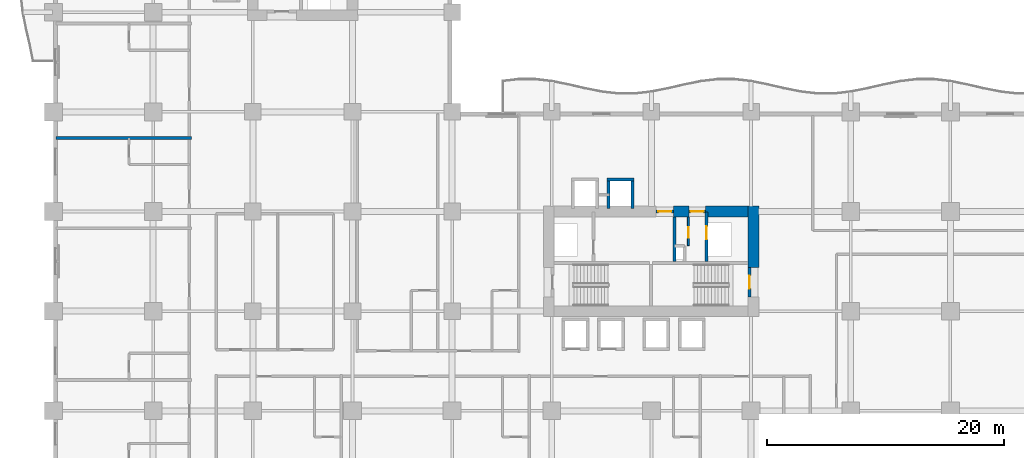
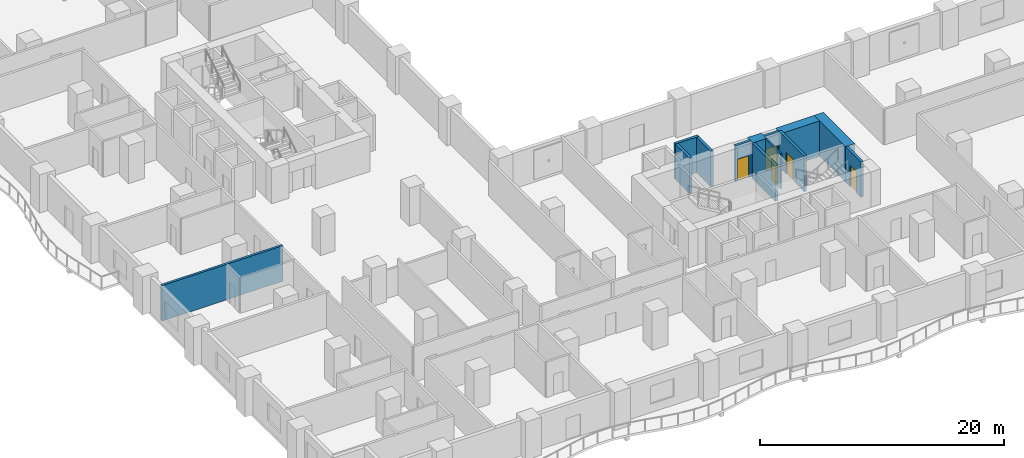
# One storey, part 7 of 20: 13 walls, 5 doors, 5 openings.
"""IFC4 building model written with IfcOpenShell, lengths in metres."""

import ifcopenshell
import ifcopenshell.guid

model = None  # the IFC model being written
_history = None  # IfcOwnerHistory: only IFC2X3 demands one
_inside = {}  # id of a spatial element -> (the spatial element, [elements in it])
_under = {}  # id of a project, library or spatial element -> (it, [spatial elements below it])
_declared = {}  # id of a project -> (the project, [libraries it declares])
_typed = {}  # id of a type object -> (the type object, [elements of that type])
_made_of = {}  # id of a material, layer set ... -> (it, [elements and type objects made of it])


def new_model(schema):
    """Start an empty IFC model of exactly this schema.

    Asked for "IFC4X3", IfcOpenShell would pick the latest addendum, in which some entities
    have other attributes; the version numbers below select the first issue.
    IFC2X3 requires an IfcOwnerHistory on every rooted entity: one is made here for all.
    """
    global model, _history
    if schema == "IFC4X3":
        model = ifcopenshell.file(schema_version=(4, 3, 0, 0))
    else:
        model = ifcopenshell.file(schema=schema)
    _inside.clear()
    _under.clear()
    _declared.clear()
    _typed.clear()
    _made_of.clear()
    _history = None
    if model.schema == "IFC2X3":
        org = make("IfcOrganization", Name="unknown")
        user = make(
            "IfcPersonAndOrganization",
            ThePerson=make("IfcPerson", FamilyName="unknown"),
            TheOrganization=org,
        )
        app = make(
            "IfcApplication",
            ApplicationDeveloper=org,
            Version="unknown",
            ApplicationFullName="unknown",
            ApplicationIdentifier="unknown",
        )
        _history = make(
            "IfcOwnerHistory",
            OwningUser=user,
            OwningApplication=app,
            ChangeAction="ADDED",
            CreationDate=0,
        )
    return model


def make(cls, **values):
    """One entity of the class cls with the attributes given. An attribute that is None is left unset."""
    return model.create_entity(
        cls, **{name: value for name, value in values.items() if value is not None}
    )


def rooted(cls, **values):
    """An entity with a GlobalId (a new one), such as an element, a storey or a relation."""
    return make(cls, GlobalId=ifcopenshell.guid.new(), OwnerHistory=_history, **values)


def si_unit(unit_type, name, prefix=None):
    """IfcSIUnit, for example si_unit("LENGTHUNIT", "METRE", prefix="MILLI")."""
    return make("IfcSIUnit", UnitType=unit_type, Prefix=prefix, Name=name)


def assignment(units):
    """IfcUnitAssignment: the units of a project."""
    return None if units is None else make("IfcUnitAssignment", Units=units)


def point(xyz):
    """IfcCartesianPoint."""
    return None if xyz is None else make("IfcCartesianPoint", Coordinates=xyz)


def direction(xyz):
    """IfcDirection."""
    return None if xyz is None else make("IfcDirection", DirectionRatios=xyz)


def frame(location, z_axis=None, x_axis=None):
    """IfcAxis2Placement3D, a coordinate frame: its origin and axes. An axis left out is left unset."""
    return make(
        "IfcAxis2Placement3D",
        Location=point(location),
        Axis=direction(z_axis),
        RefDirection=direction(x_axis),
    )


def frame_2d(location, x_axis=None):
    """IfcAxis2Placement2D, a coordinate frame in the plane: its origin and x axis."""
    return make(
        "IfcAxis2Placement2D", Location=point(location), RefDirection=direction(x_axis)
    )


def origin():
    """The frame at (0, 0, 0) with its axes left unset."""
    return frame((0.0, 0.0, 0.0))


def place(relative_to, where):
    """IfcLocalPlacement: puts the frame where relative to a parent placement (None: the world)."""
    return make(
        "IfcLocalPlacement", PlacementRelTo=relative_to, RelativePlacement=where
    )


def context(
    kind, dimensions, precision=None, world=None, true_north=None, identifier=None
):
    """IfcGeometricRepresentationContext, for example the 3D "Model" context."""
    return make(
        "IfcGeometricRepresentationContext",
        ContextIdentifier=identifier,
        ContextType=kind,
        CoordinateSpaceDimension=dimensions,
        Precision=precision,
        WorldCoordinateSystem=world,
        TrueNorth=true_north,
    )


def subcontext(parent, identifier, kind, view, scale=None):
    """IfcGeometricRepresentationSubContext, for example "Body" below "Model"."""
    return make(
        "IfcGeometricRepresentationSubContext",
        ContextIdentifier=identifier,
        ContextType=kind,
        ParentContext=parent,
        TargetScale=scale,
        TargetView=view,
    )


def project(units=None, contexts=None):
    """IfcProject with its units and contexts."""
    return rooted(
        "IfcProject",
        Name="project",
        RepresentationContexts=contexts,
        UnitsInContext=assignment(units),
    )


def spatial(cls, under=None, at=None, **own):
    """A site, building, storey or space (cls), placed at a placement, below another one or the project."""
    s = rooted(cls, ObjectPlacement=at, **own)
    if under is not None:
        _under.setdefault(under.id(), (under, []))[1].append(s)
    return s


def profile(cls, at=None, kind="AREA", **sizes):
    """A parametric profile (cls). Its sizes go by their IFC names, for example OverallWidth=200.0."""
    return make(cls, ProfileType=kind, Position=at, **sizes)


def rectangle(**sizes):
    """IfcRectangleProfileDef."""
    return profile("IfcRectangleProfileDef", **sizes)


def extrude(swept, where, along, depth):
    """IfcExtrudedAreaSolid: the profile swept, set in the frame where, extruded along a direction by depth."""
    return make(
        "IfcExtrudedAreaSolid",
        SweptArea=swept,
        Position=where,
        ExtrudedDirection=direction(along),
        Depth=depth,
    )


def shape(context_of_items, identifier, shape_type, items):
    """IfcShapeRepresentation: the items that make up one representation, for example the "Body"."""
    return make(
        "IfcShapeRepresentation",
        ContextOfItems=context_of_items,
        RepresentationIdentifier=identifier,
        RepresentationType=shape_type,
        Items=items,
    )


def material(Name=None, Category=None):
    """IfcMaterial."""
    return make("IfcMaterial", Name=Name, Category=Category)


def layer(
    of_material, thickness, ventilated=None, Name=None, Category=None, Priority=None
):
    """IfcMaterialLayer: one layer of a wall or slab, of a material (None: an air gap)."""
    return make(
        "IfcMaterialLayer",
        Material=of_material,
        LayerThickness=thickness,
        IsVentilated=ventilated,
        Name=Name,
        Category=Category,
        Priority=Priority,
    )


def layer_set(layers, Name=None):
    """IfcMaterialLayerSet."""
    return make("IfcMaterialLayerSet", MaterialLayers=layers, LayerSetName=Name)


def made_of(thing, what):
    """Note that an element or type object is made of a material, layer set ...; save() writes the relation."""
    if what is not None:
        _made_of.setdefault(what.id(), (what, []))[1].append(thing)
    return thing


def type_object(cls, material=None, **own):
    """A type object (cls), such as IfcWallType, which elements share."""
    return made_of(rooted(cls, **own), material)


def element(
    cls,
    number,
    at=None,
    inside=None,
    cuts=None,
    type_object=None,
    material=None,
    context=None,
    identifier="Body",
    shape_type=None,
    held_by="IfcProductDefinitionShape",
    body=None,
    shapes=None,
    **own,
):
    """One element of the class cls, such as IfcWall. Its Tag is "e" and its number.

    at: its placement. inside: the storey or other place that contains it. cuts: it is an
    opening in that element (IfcRelVoidsElement). A single representation is given by context,
    identifier, shape_type and body (its items); several are given by shapes. held_by: the class
    of the entity that holds the representations. save() writes the other relations.
    """
    e = rooted(cls, Tag="e%d" % number, ObjectPlacement=at, **own)
    if body is not None:
        shapes = [shape(context, identifier, shape_type, body)]
    if shapes is not None:
        e.Representation = make(held_by, Representations=shapes)
    if inside is not None:
        _inside.setdefault(inside.id(), (inside, []))[1].append(e)
    if cuts is not None:
        rooted(
            "IfcRelVoidsElement", RelatingBuildingElement=cuts, RelatedOpeningElement=e
        )
    if type_object is not None:
        _typed.setdefault(type_object.id(), (type_object, []))[1].append(e)
    return made_of(e, material)


def fill(opening, filler):
    """IfcRelFillsElement: the door or window that sits in an opening."""
    return rooted(
        "IfcRelFillsElement",
        RelatingOpeningElement=opening,
        RelatedBuildingElement=filler,
    )


def aggregate(whole, parts):
    """IfcRelAggregates: a whole, such as a stair, and the parts it consists of."""
    return rooted("IfcRelAggregates", RelatingObject=whole, RelatedObjects=parts)


def save(model, path):
    """Write the relations noted so far, then the file.

    IfcRelAggregates (storeys below a building ...), IfcRelContainedInSpatialStructure (elements
    in a storey), IfcRelDefinesByType, IfcRelAssociatesMaterial and IfcRelDeclares: one each for
    every whole, place, type object, material and project.
    """
    for whole, parts in _under.values():
        aggregate(whole, parts)
    for where, things in _inside.values():
        rooted(
            "IfcRelContainedInSpatialStructure",
            RelatedElements=things,
            RelatingStructure=where,
        )
    for kind, things in _typed.values():
        rooted("IfcRelDefinesByType", RelatedObjects=things, RelatingType=kind)
    for what, things in _made_of.values():
        rooted("IfcRelAssociatesMaterial", RelatedObjects=things, RelatingMaterial=what)
    for by, libraries in _declared.values():
        rooted("IfcRelDeclares", RelatingContext=by, RelatedDefinitions=libraries)
    model.write(path)


model = new_model("IFC4")

# Units and contexts
model_context = context("Model", 3, precision=1e-05, world=origin(), true_north=direction((0.0, 1.0)))
body_context = subcontext(model_context, "Body", "Model", "MODEL_VIEW")
ifc_project = project(units=[si_unit("LENGTHUNIT", "METRE"), si_unit("AREAUNIT", "SQUARE_METRE"), si_unit("VOLUMEUNIT", "CUBIC_METRE"), si_unit("PLANEANGLEUNIT", "RADIAN"), si_unit("MASSUNIT", "GRAM", prefix="KILO")], contexts=[model_context])

# Site, building, storey
site_placement = place(None, origin())
site = spatial("IfcSite", under=ifc_project, at=site_placement, CompositionType="ELEMENT")
building_placement = place(site_placement, origin())
building = spatial("IfcBuilding", under=site, at=building_placement, Name="Koriwani Terraces Tower", CompositionType="ELEMENT")
storey_placement = place(building_placement, frame((0.0, 0.0, 66.199951171875)))
storey = spatial("IfcBuildingStorey", under=building, at=storey_placement, Name="L15", CompositionType="ELEMENT", Elevation=66.199951171875)

# Walls
ifc_material_1 = material(Name="Concrete C60/75", Category="concrete")
ifc_layer_1 = layer(ifc_material_1, 0.89990234375, Name="Concrete C60/75")
ifc_layer_set_1 = layer_set([ifc_layer_1], Name="Concrete C60/75")
wall_type_1 = type_object("IfcWallType", Name="WALL_CORE_RC_900", PredefinedType="SHEAR", material=ifc_layer_set_1)
wall_1_placement = place(storey_placement, frame((59.0, 20.5, 0.0), z_axis=(0.0, 0.0, 1.0), x_axis=(0.0, 1.0, 0.0)))
element("IfcWall", 1, at=wall_1_placement, inside=storey, type_object=wall_type_1, Name="L15 East Split Core Shear Wall E2", PredefinedType="SHEAR", context=body_context, shape_type="SweptSolid", body=[
    extrude(rectangle(XDim=5.14990234375, YDim=0.89990234375, at=frame_2d((2.574951171875, 0.0))), origin(), (0.0, 0.0, 1.0), 3.550048828125),
])
wall_2_placement = place(storey_placement, frame((52.280029296875, 25.199951171875, 0.0), z_axis=(0.0, 0.0, 1.0), x_axis=(1.0, 0.0, 0.0)))
element("IfcWall", 2, at=wall_2_placement, inside=storey, type_object=wall_type_1, Name="L15 East Split Core Shear Wall N2", PredefinedType="SHEAR", context=body_context, shape_type="SweptSolid", body=[
    extrude(rectangle(XDim=1.27001953125, YDim=0.89990234375, at=frame_2d((0.635009765625, 0.0))), origin(), (0.0, 0.0, 1.0), 3.550048828125),
])
wall_3_placement = place(storey_placement, frame((54.949951171875, 25.199951171875, 0.0), z_axis=(0.0, 0.0, 1.0), x_axis=(1.0, 0.0, 0.0)))
element("IfcWall", 3, at=wall_3_placement, inside=storey, type_object=wall_type_1, Name="L15 East Split Core Shear Wall N3", PredefinedType="SHEAR", context=body_context, shape_type="SweptSolid", body=[
    extrude(rectangle(XDim=3.60009765625, YDim=0.89990234375, at=frame_2d((1.800048828125, 0.0))), origin(), (0.0, 0.0, 1.0), 3.550048828125),
])
ifc_material_2 = material(Name="Autoclaved Cellular Concrete Blockwork", Category="masonry")
ifc_layer_2 = layer(ifc_material_2, 0.219970703125, Name="Autoclaved Cellular Concrete Blockwork")
ifc_layer_set_2 = layer_set([ifc_layer_2], Name="Autoclaved Cellular Concrete Blockwork")
wall_type_2 = type_object("IfcWallType", Name="WALL_DEMISING_220", PredefinedType="PARTITIONING", material=ifc_layer_set_2)
wall_4_placement = place(storey_placement, frame((0.199951171875, 31.39990234375, 0.0), z_axis=(0.0, 0.0, 1.0), x_axis=(1.0, 0.0, 0.0)))
element("IfcWall", 4, at=wall_4_placement, inside=storey, type_object=wall_type_2, Name="L15 Interior Wall WDEM-L15-NW-3", PredefinedType="PARTITIONING", context=body_context, shape_type="SweptSolid", body=[
    extrude(rectangle(XDim=11.429931640625, YDim=0.219970703125, at=frame_2d((5.71484375, 0.0))), origin(), (0.0, 0.0, 1.0), 3.550048828125),
])

# Wall, opening, door
ifc_material_3 = material(Name="Concrete C40/50", Category="concrete")
ifc_layer_3 = layer(ifc_material_3, 0.25, Name="Concrete C40/50")
ifc_layer_set_3 = layer_set([ifc_layer_3], Name="Concrete C40/50")
wall_type_3 = type_object("IfcWallType", Name="WALL_SHAFT_RATED_250", PredefinedType="SOLIDWALL", material=ifc_layer_set_3)
wall_5_placement = place(storey_placement, frame((58.675048828125, 18.0, 0.0), z_axis=(0.0, 0.0, 1.0), x_axis=(0.0, 1.0, 0.0)))
wall_5 = element("IfcWall", 5, at=wall_5_placement, inside=storey, type_object=wall_type_3, Name="L15 Interior Wall WIN-CE-L15-STE", PredefinedType="SOLIDWALL", context=body_context, shape_type="SweptSolid", body=[
    extrude(rectangle(XDim=2.5, YDim=0.25, at=frame_2d((1.25, 0.0))), origin(), (0.0, 0.0, 1.0), 3.550048828125),
])
opening_1_placement = place(wall_5_placement, frame((0.699951171875, 0.0, 0.0)))
opening_1 = element("IfcOpeningElement", 6, at=opening_1_placement, cuts=wall_5, Name="Opening D-03", PredefinedType="OPENING", context=body_context, shape_type="SweptSolid", body=[
    extrude(rectangle(XDim=1.10009765625, YDim=2.14990234375, at=frame_2d((0.550048828125, 1.074951171875))), frame((0.0, 0.135009765625, 0.0), z_axis=(0.0, -1.0, 0.0), x_axis=(1.0, 0.0, 0.0)), (0.0, 0.0, 1.0), 0.27001953125),
])
ifc_material_4 = material(Name="Steel ASTM A572 Grade 50", Category="steel")
door_type_1 = type_object("IfcDoorType", Name="DOOR_STAIR_FIRE_1100X2150", OperationType="NOTDEFINED", PredefinedType="DOOR", material=ifc_material_4)
door_1_placement = place(opening_1_placement, origin())
door_1 = element("IfcDoor", 7, at=door_1_placement, inside=storey, type_object=door_type_1, Name="L15 Exit Stair ST-E2 Door", OperationType="SINGLE_SWING_LEFT", OverallHeight=2.14990234375, OverallWidth=1.10009765625, PredefinedType="DOOR", context=body_context, shape_type="SweptSolid", body=[
    extrude(rectangle(XDim=1.10009765625, YDim=2.14990234375, at=frame_2d((0.550048828125, 1.074951171875))), frame((0.0, 0.02490234375, 0.0), z_axis=(0.0, -1.0, 0.0), x_axis=(1.0, 0.0, 0.0)), (0.0, 0.0, 1.0), 0.050048828125),
])
fill(opening_1, door_1)

wall_6_placement = place(storey_placement, frame((50.800048828125, 25.199951171875, 0.0), z_axis=(0.0, 0.0, 1.0), x_axis=(1.0, 0.0, 0.0)))
wall_6 = element("IfcWall", 8, at=wall_6_placement, inside=storey, type_object=wall_type_3, Name="L15 Interior Wall WIN-CE-L15-NP", PredefinedType="SOLIDWALL", context=body_context, shape_type="SweptSolid", body=[
    extrude(rectangle(XDim=1.47998046875, YDim=0.25, at=frame_2d((0.739990234375, 0.0))), origin(), (0.0, 0.0, 1.0), 3.550048828125),
])
opening_2_placement = place(wall_6_placement, frame((0.179931640625, 0.0, 0.0)))
opening_2 = element("IfcOpeningElement", 9, at=opening_2_placement, cuts=wall_6, Name="Opening D-03", PredefinedType="OPENING", context=body_context, shape_type="SweptSolid", body=[
    extrude(rectangle(XDim=1.10009765625, YDim=2.14990234375, at=frame_2d((0.550048828125, 1.074951171875))), frame((0.0, 0.135009765625, 0.0), z_axis=(0.0, -1.0, 0.0), x_axis=(1.0, 0.0, 0.0)), (0.0, 0.0, 1.0), 0.27001953125),
])
door_2_placement = place(opening_2_placement, origin())
door_2 = element("IfcDoor", 10, at=door_2_placement, inside=storey, type_object=door_type_1, Name="L15 East Firefighting Lobby Door", OperationType="SINGLE_SWING_RIGHT", OverallHeight=2.14990234375, OverallWidth=1.10009765625, PredefinedType="DOOR", context=body_context, shape_type="SweptSolid", body=[
    extrude(rectangle(XDim=1.10009765625, YDim=2.14990234375, at=frame_2d((0.550048828125, 1.074951171875))), frame((0.0, 0.02490234375, 0.0), z_axis=(0.0, -1.0, 0.0), x_axis=(1.0, 0.0, 0.0)), (0.0, 0.0, 1.0), 0.050048828125),
])
fill(opening_2, door_2)

# Wall
wall_7_placement = place(storey_placement, frame((52.340087890625, 21.0, 0.0), z_axis=(0.0, 0.0, 1.0), x_axis=(0.0, 1.0, 0.0)))
element("IfcWall", 11, at=wall_7_placement, inside=storey, type_object=wall_type_3, Name="L15 Interior Wall WIN-CE-L15-FFE", PredefinedType="SOLIDWALL", context=body_context, shape_type="SweptSolid", body=[
    extrude(rectangle(XDim=3.75, YDim=0.25, at=frame_2d((1.875, 0.0))), origin(), (0.0, 0.0, 1.0), 3.550048828125),
])

# Wall, opening, door
wall_8_placement = place(storey_placement, frame((55.050048828125, 21.0, 0.0), z_axis=(0.0, 0.0, 1.0), x_axis=(0.0, 1.0, 0.0)))
wall_8 = element("IfcWall", 12, at=wall_8_placement, inside=storey, type_object=wall_type_3, Name="L15 Interior Wall WIN-CE-L15-SE", PredefinedType="SOLIDWALL", context=body_context, shape_type="SweptSolid", body=[
    extrude(rectangle(XDim=4.14990234375, YDim=0.25, at=frame_2d((2.074951171875, 0.0))), origin(), (0.0, 0.0, 1.0), 3.550048828125),
])
opening_3_placement = place(wall_8_placement, frame((1.85009765625, 0.0, 0.0)))
opening_3 = element("IfcOpeningElement", 13, at=opening_3_placement, cuts=wall_8, Name="Opening LD-01", PredefinedType="OPENING", context=body_context, shape_type="SweptSolid", body=[
    extrude(rectangle(XDim=1.10009765625, YDim=2.14990234375, at=frame_2d((0.550048828125, 1.074951171875))), frame((0.0, 0.135009765625, 0.0), z_axis=(0.0, -1.0, 0.0), x_axis=(1.0, 0.0, 0.0)), (0.0, 0.0, 1.0), 0.27001953125),
])
door_type_2 = type_object("IfcDoorType", Name="DOOR_LIFT_LANDING_1100X2200", OperationType="NOTDEFINED", PredefinedType="DOOR", material=ifc_material_4)
door_3_placement = place(opening_3_placement, origin())
door_3 = element("IfcDoor", 14, at=door_3_placement, inside=storey, type_object=door_type_2, Name="L15 Goods Lift SE-02 Landing Door", OperationType="SLIDING_TO_LEFT", OverallHeight=2.14990234375, OverallWidth=1.10009765625, PredefinedType="DOOR", context=body_context, shape_type="SweptSolid", body=[
    extrude(rectangle(XDim=1.10009765625, YDim=2.14990234375, at=frame_2d((0.550048828125, 1.074951171875))), frame((0.0, 0.02490234375, 0.0), z_axis=(0.0, -1.0, 0.0), x_axis=(1.0, 0.0, 0.0)), (0.0, 0.0, 1.0), 0.050048828125),
])
fill(opening_3, door_3)

wall_9_placement = place(storey_placement, frame((53.550048828125, 25.199951171875, 0.0), z_axis=(0.0, 0.0, 1.0), x_axis=(1.0, 0.0, 0.0)))
wall_9 = element("IfcWall", 15, at=wall_9_placement, inside=storey, type_object=wall_type_3, Name="L15 Interior Wall WIN-CE-L15-NP2", PredefinedType="SOLIDWALL", context=body_context, shape_type="SweptSolid", body=[
    extrude(rectangle(XDim=1.39990234375, YDim=0.25, at=frame_2d((0.699951171875, 0.0))), origin(), (0.0, 0.0, 1.0), 3.550048828125),
])
opening_4_placement = place(wall_9_placement, frame((0.14990234375, 0.0, 0.0)))
opening_4 = element("IfcOpeningElement", 16, at=opening_4_placement, cuts=wall_9, Name="Opening D-03", PredefinedType="OPENING", context=body_context, shape_type="SweptSolid", body=[
    extrude(rectangle(XDim=1.10009765625, YDim=2.14990234375, at=frame_2d((0.550048828125, 1.074951171875))), frame((0.0, 0.135009765625, 0.0), z_axis=(0.0, -1.0, 0.0), x_axis=(1.0, 0.0, 0.0)), (0.0, 0.0, 1.0), 0.27001953125),
])
door_4_placement = place(opening_4_placement, origin())
door_4 = element("IfcDoor", 17, at=door_4_placement, inside=storey, type_object=door_type_1, Name="L15 East Goods Lift Lobby Door", OperationType="SINGLE_SWING_LEFT", OverallHeight=2.14990234375, OverallWidth=1.10009765625, PredefinedType="DOOR", context=body_context, shape_type="SweptSolid", body=[
    extrude(rectangle(XDim=1.10009765625, YDim=2.14990234375, at=frame_2d((0.550048828125, 1.074951171875))), frame((0.0, 0.02490234375, 0.0), z_axis=(0.0, -1.0, 0.0), x_axis=(1.0, 0.0, 0.0)), (0.0, 0.0, 1.0), 0.050048828125),
])
fill(opening_4, door_4)

# Walls
wall_10_placement = place(storey_placement, frame((46.675048828125, 27.89990234375, 0.0), z_axis=(0.0, 0.0, 1.0), x_axis=(1.0, 0.0, 0.0)))
element("IfcWall", 18, at=wall_10_placement, inside=storey, type_object=wall_type_3, Name="L15 Interior Wall WIN-LF-PE-H4-L15-F", PredefinedType="SOLIDWALL", context=body_context, shape_type="SweptSolid", body=[
    extrude(rectangle(XDim=2.25, YDim=0.25, at=frame_2d((1.125, 0.0))), origin(), (0.0, 0.0, 1.0), 3.550048828125),
])
for number, where, z_axis, x_axis, name in (
    (19, (46.800048828125, 25.449951171875, 0.0), (0.0, 0.0, 1.0), (0.0, 1.0, 0.0), "L15 Interior Wall WIN-LF-PE-H4-L15-W"),
    (20, (48.800048828125, 25.449951171875, 0.0), (0.0, 0.0, 1.0), (0.0, 1.0, 0.0), "L15 Interior Wall WIN-LF-PE-H4-L15-E"),
):
    element("IfcWall", number, at=place(storey_placement, frame(where, z_axis=z_axis, x_axis=x_axis)), inside=storey, type_object=wall_type_3, Name=name, PredefinedType="SOLIDWALL", context=body_context, shape_type="SweptSolid", body=[
        extrude(rectangle(XDim=2.324951171875, YDim=0.25, at=frame_2d((1.16259765625, 0.0))), origin(), (0.0, 0.0, 1.0), 3.550048828125),
    ])

# Wall, opening, door
ifc_material_5 = material(Name="Fire-Rated Acoustic Gypsum Partition", Category="masonry")
ifc_layer_4 = layer(ifc_material_5, 0.159912109375, Name="Fire-Rated Acoustic Gypsum Partition")
ifc_layer_set_4 = layer_set([ifc_layer_4], Name="Fire-Rated Acoustic Gypsum Partition")
wall_type_4 = type_object("IfcWallType", Name="WALL_SUITE_160", PredefinedType="PARTITIONING", material=ifc_layer_set_4)
wall_11_placement = place(storey_placement, frame((53.52001953125, 22.320068359375, 0.0), z_axis=(0.0, 0.0, 1.0), x_axis=(0.0, 1.0, 0.0)))
wall_11 = element("IfcWall", 21, at=wall_11_placement, inside=storey, type_object=wall_type_4, Name="L15 Interior Wall WIN-CE-L15-SV0", PredefinedType="PARTITIONING", context=body_context, shape_type="SweptSolid", body=[
    extrude(rectangle(XDim=2.39990234375, YDim=0.159912109375, at=frame_2d((1.199951171875, 0.0))), origin(), (0.0, 0.0, 1.0), 3.550048828125),
])
opening_5_placement = place(wall_11_placement, frame((0.64990234375, 0.0, 0.0)))
opening_5 = element("IfcOpeningElement", 22, at=opening_5_placement, cuts=wall_11, Name="Opening D-07", PredefinedType="OPENING", context=body_context, shape_type="SweptSolid", body=[
    extrude(rectangle(XDim=0.89990234375, YDim=2.10009765625, at=frame_2d((0.449951171875, 1.050048828125))), frame((0.0, 0.08984375, 0.0), z_axis=(0.0, -1.0, 0.0), x_axis=(1.0, 0.0, 0.0)), (0.0, 0.0, 1.0), 0.179931640625),
])
ifc_material_6 = material(Name="Architectural Oak Fire Door", Category="wood")
door_type_3 = type_object("IfcDoorType", Name="DOOR_BATH_INT_900X2100", OperationType="NOTDEFINED", PredefinedType="DOOR", material=ifc_material_6)
door_5_placement = place(opening_5_placement, origin())
door_5 = element("IfcDoor", 23, at=door_5_placement, inside=storey, type_object=door_type_3, Name="L15 East Electrical Switch Room Door", OperationType="SINGLE_SWING_RIGHT", OverallHeight=2.10009765625, OverallWidth=0.89990234375, PredefinedType="DOOR", context=body_context, shape_type="SweptSolid", body=[
    extrude(rectangle(XDim=0.89990234375, YDim=2.10009765625, at=frame_2d((0.449951171875, 1.050048828125))), frame((0.0, 0.02490234375, 0.0), z_axis=(0.0, -1.0, 0.0), x_axis=(1.0, 0.0, 0.0)), (0.0, 0.0, 1.0), 0.050048828125),
])
fill(opening_5, door_5)

save(model, "model.ifc")
